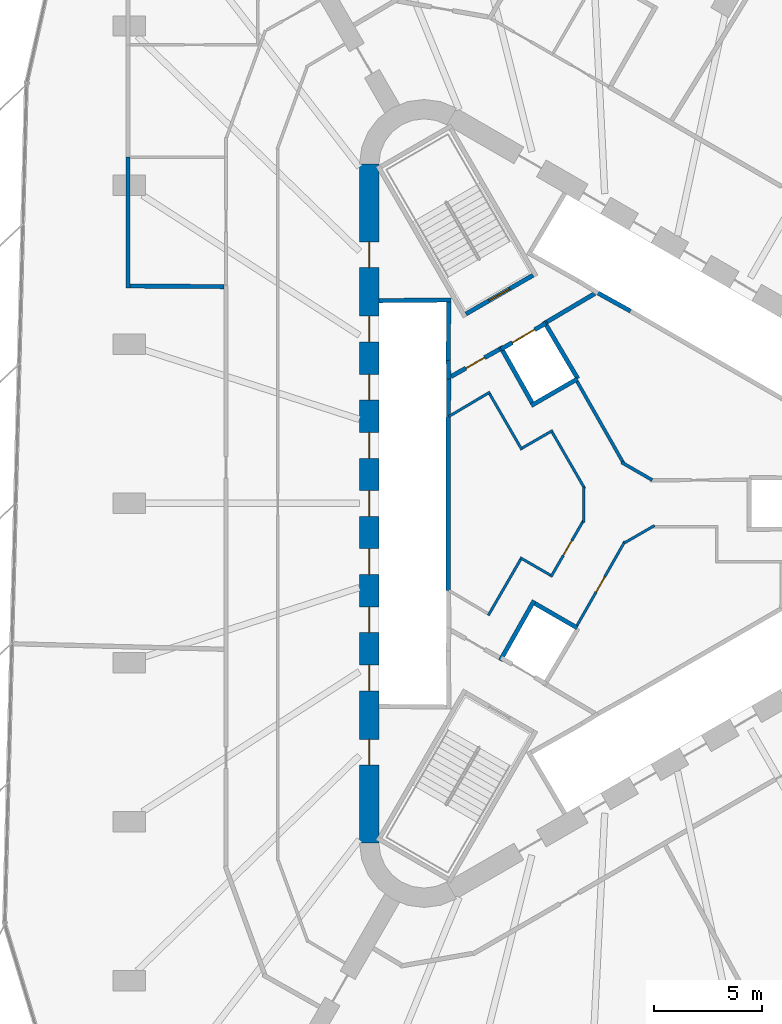
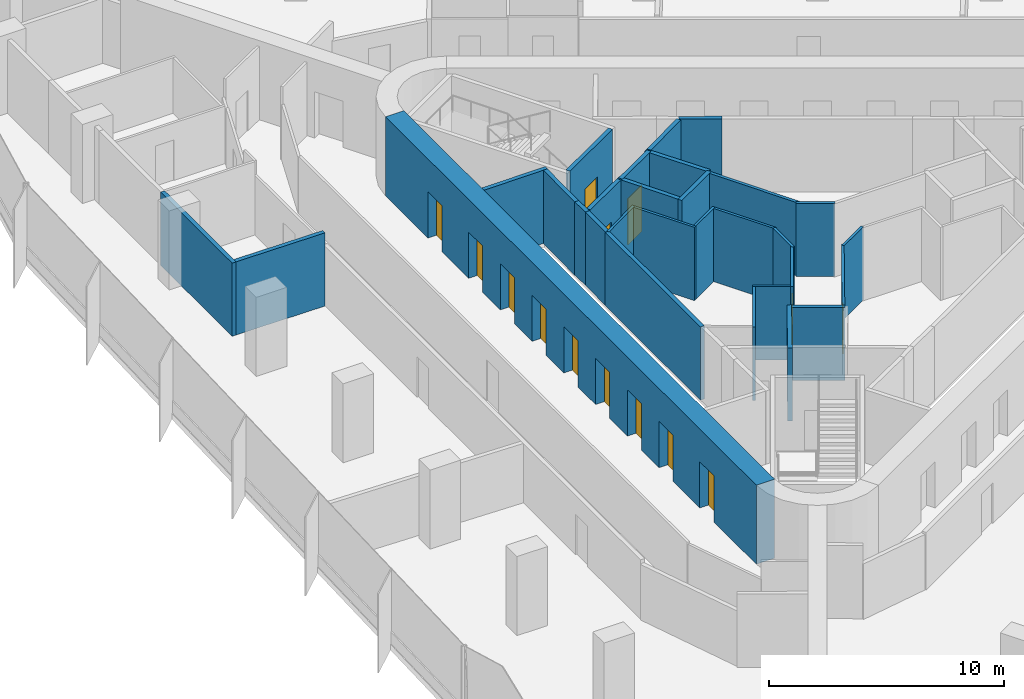
# One storey, part 10 of 14: 30 walls, 14 doors, 14 openings.
"""IFC4 building model written with IfcOpenShell, lengths in metres."""

import ifcopenshell
import ifcopenshell.guid

model = None  # the IFC model being written
_history = None  # IfcOwnerHistory: only IFC2X3 demands one
_inside = {}  # id of a spatial element -> (the spatial element, [elements in it])
_under = {}  # id of a project, library or spatial element -> (it, [spatial elements below it])
_declared = {}  # id of a project -> (the project, [libraries it declares])
_typed = {}  # id of a type object -> (the type object, [elements of that type])
_made_of = {}  # id of a material, layer set ... -> (it, [elements and type objects made of it])


def new_model(schema):
    """Start an empty IFC model of exactly this schema.

    Asked for "IFC4X3", IfcOpenShell would pick the latest addendum, in which some entities
    have other attributes; the version numbers below select the first issue.
    IFC2X3 requires an IfcOwnerHistory on every rooted entity: one is made here for all.
    """
    global model, _history
    if schema == "IFC4X3":
        model = ifcopenshell.file(schema_version=(4, 3, 0, 0))
    else:
        model = ifcopenshell.file(schema=schema)
    _inside.clear()
    _under.clear()
    _declared.clear()
    _typed.clear()
    _made_of.clear()
    _history = None
    if model.schema == "IFC2X3":
        org = make("IfcOrganization", Name="unknown")
        user = make(
            "IfcPersonAndOrganization",
            ThePerson=make("IfcPerson", FamilyName="unknown"),
            TheOrganization=org,
        )
        app = make(
            "IfcApplication",
            ApplicationDeveloper=org,
            Version="unknown",
            ApplicationFullName="unknown",
            ApplicationIdentifier="unknown",
        )
        _history = make(
            "IfcOwnerHistory",
            OwningUser=user,
            OwningApplication=app,
            ChangeAction="ADDED",
            CreationDate=0,
        )
    return model


def make(cls, **values):
    """One entity of the class cls with the attributes given. An attribute that is None is left unset."""
    return model.create_entity(
        cls, **{name: value for name, value in values.items() if value is not None}
    )


def rooted(cls, **values):
    """An entity with a GlobalId (a new one), such as an element, a storey or a relation."""
    return make(cls, GlobalId=ifcopenshell.guid.new(), OwnerHistory=_history, **values)


def si_unit(unit_type, name, prefix=None):
    """IfcSIUnit, for example si_unit("LENGTHUNIT", "METRE", prefix="MILLI")."""
    return make("IfcSIUnit", UnitType=unit_type, Prefix=prefix, Name=name)


def assignment(units):
    """IfcUnitAssignment: the units of a project."""
    return None if units is None else make("IfcUnitAssignment", Units=units)


def point(xyz):
    """IfcCartesianPoint."""
    return None if xyz is None else make("IfcCartesianPoint", Coordinates=xyz)


def direction(xyz):
    """IfcDirection."""
    return None if xyz is None else make("IfcDirection", DirectionRatios=xyz)


def frame(location, z_axis=None, x_axis=None):
    """IfcAxis2Placement3D, a coordinate frame: its origin and axes. An axis left out is left unset."""
    return make(
        "IfcAxis2Placement3D",
        Location=point(location),
        Axis=direction(z_axis),
        RefDirection=direction(x_axis),
    )


def frame_2d(location, x_axis=None):
    """IfcAxis2Placement2D, a coordinate frame in the plane: its origin and x axis."""
    return make(
        "IfcAxis2Placement2D", Location=point(location), RefDirection=direction(x_axis)
    )


def origin():
    """The frame at (0, 0, 0) with its axes left unset."""
    return frame((0.0, 0.0, 0.0))


def place(relative_to, where):
    """IfcLocalPlacement: puts the frame where relative to a parent placement (None: the world)."""
    return make(
        "IfcLocalPlacement", PlacementRelTo=relative_to, RelativePlacement=where
    )


def context(
    kind, dimensions, precision=None, world=None, true_north=None, identifier=None
):
    """IfcGeometricRepresentationContext, for example the 3D "Model" context."""
    return make(
        "IfcGeometricRepresentationContext",
        ContextIdentifier=identifier,
        ContextType=kind,
        CoordinateSpaceDimension=dimensions,
        Precision=precision,
        WorldCoordinateSystem=world,
        TrueNorth=true_north,
    )


def subcontext(parent, identifier, kind, view, scale=None):
    """IfcGeometricRepresentationSubContext, for example "Body" below "Model"."""
    return make(
        "IfcGeometricRepresentationSubContext",
        ContextIdentifier=identifier,
        ContextType=kind,
        ParentContext=parent,
        TargetScale=scale,
        TargetView=view,
    )


def project(units=None, contexts=None):
    """IfcProject with its units and contexts."""
    return rooted(
        "IfcProject",
        Name="project",
        RepresentationContexts=contexts,
        UnitsInContext=assignment(units),
    )


def spatial(cls, under=None, at=None, **own):
    """A site, building, storey or space (cls), placed at a placement, below another one or the project."""
    s = rooted(cls, ObjectPlacement=at, **own)
    if under is not None:
        _under.setdefault(under.id(), (under, []))[1].append(s)
    return s


def profile(cls, at=None, kind="AREA", **sizes):
    """A parametric profile (cls). Its sizes go by their IFC names, for example OverallWidth=200.0."""
    return make(cls, ProfileType=kind, Position=at, **sizes)


def rectangle(**sizes):
    """IfcRectangleProfileDef."""
    return profile("IfcRectangleProfileDef", **sizes)


def extrude(swept, where, along, depth):
    """IfcExtrudedAreaSolid: the profile swept, set in the frame where, extruded along a direction by depth."""
    return make(
        "IfcExtrudedAreaSolid",
        SweptArea=swept,
        Position=where,
        ExtrudedDirection=direction(along),
        Depth=depth,
    )


def shape(context_of_items, identifier, shape_type, items):
    """IfcShapeRepresentation: the items that make up one representation, for example the "Body"."""
    return make(
        "IfcShapeRepresentation",
        ContextOfItems=context_of_items,
        RepresentationIdentifier=identifier,
        RepresentationType=shape_type,
        Items=items,
    )


def material(Name=None, Category=None):
    """IfcMaterial."""
    return make("IfcMaterial", Name=Name, Category=Category)


def layer(
    of_material, thickness, ventilated=None, Name=None, Category=None, Priority=None
):
    """IfcMaterialLayer: one layer of a wall or slab, of a material (None: an air gap)."""
    return make(
        "IfcMaterialLayer",
        Material=of_material,
        LayerThickness=thickness,
        IsVentilated=ventilated,
        Name=Name,
        Category=Category,
        Priority=Priority,
    )


def layer_set(layers, Name=None):
    """IfcMaterialLayerSet."""
    return make("IfcMaterialLayerSet", MaterialLayers=layers, LayerSetName=Name)


def made_of(thing, what):
    """Note that an element or type object is made of a material, layer set ...; save() writes the relation."""
    if what is not None:
        _made_of.setdefault(what.id(), (what, []))[1].append(thing)
    return thing


def type_object(cls, material=None, **own):
    """A type object (cls), such as IfcWallType, which elements share."""
    return made_of(rooted(cls, **own), material)


def element(
    cls,
    number,
    at=None,
    inside=None,
    cuts=None,
    type_object=None,
    material=None,
    context=None,
    identifier="Body",
    shape_type=None,
    held_by="IfcProductDefinitionShape",
    body=None,
    shapes=None,
    **own,
):
    """One element of the class cls, such as IfcWall. Its Tag is "e" and its number.

    at: its placement. inside: the storey or other place that contains it. cuts: it is an
    opening in that element (IfcRelVoidsElement). A single representation is given by context,
    identifier, shape_type and body (its items); several are given by shapes. held_by: the class
    of the entity that holds the representations. save() writes the other relations.
    """
    e = rooted(cls, Tag="e%d" % number, ObjectPlacement=at, **own)
    if body is not None:
        shapes = [shape(context, identifier, shape_type, body)]
    if shapes is not None:
        e.Representation = make(held_by, Representations=shapes)
    if inside is not None:
        _inside.setdefault(inside.id(), (inside, []))[1].append(e)
    if cuts is not None:
        rooted(
            "IfcRelVoidsElement", RelatingBuildingElement=cuts, RelatedOpeningElement=e
        )
    if type_object is not None:
        _typed.setdefault(type_object.id(), (type_object, []))[1].append(e)
    return made_of(e, material)


def fill(opening, filler):
    """IfcRelFillsElement: the door or window that sits in an opening."""
    return rooted(
        "IfcRelFillsElement",
        RelatingOpeningElement=opening,
        RelatedBuildingElement=filler,
    )


def aggregate(whole, parts):
    """IfcRelAggregates: a whole, such as a stair, and the parts it consists of."""
    return rooted("IfcRelAggregates", RelatingObject=whole, RelatedObjects=parts)


def save(model, path):
    """Write the relations noted so far, then the file.

    IfcRelAggregates (storeys below a building ...), IfcRelContainedInSpatialStructure (elements
    in a storey), IfcRelDefinesByType, IfcRelAssociatesMaterial and IfcRelDeclares: one each for
    every whole, place, type object, material and project.
    """
    for whole, parts in _under.values():
        aggregate(whole, parts)
    for where, things in _inside.values():
        rooted(
            "IfcRelContainedInSpatialStructure",
            RelatedElements=things,
            RelatingStructure=where,
        )
    for kind, things in _typed.values():
        rooted("IfcRelDefinesByType", RelatedObjects=things, RelatingType=kind)
    for what, things in _made_of.values():
        rooted("IfcRelAssociatesMaterial", RelatedObjects=things, RelatingMaterial=what)
    for by, libraries in _declared.values():
        rooted("IfcRelDeclares", RelatingContext=by, RelatedDefinitions=libraries)
    model.write(path)


model = new_model("IFC4")

# Units and contexts
model_context = context("Model", 3, precision=1e-05, world=origin(), true_north=direction((0.0, 1.0)))
body_context = subcontext(model_context, "Body", "Model", "MODEL_VIEW")
ifc_project = project(units=[si_unit("LENGTHUNIT", "METRE"), si_unit("AREAUNIT", "SQUARE_METRE"), si_unit("VOLUMEUNIT", "CUBIC_METRE"), si_unit("PLANEANGLEUNIT", "RADIAN"), si_unit("MASSUNIT", "GRAM", prefix="KILO")], contexts=[model_context])

# Site, building, storey
site_placement = place(None, origin())
site = spatial("IfcSite", under=ifc_project, at=site_placement, CompositionType="ELEMENT")
building_placement = place(site_placement, origin())
building = spatial("IfcBuilding", under=site, at=building_placement, Name="Tanit Gate Tower", CompositionType="ELEMENT")
storey_placement = place(building_placement, frame((0.0, 0.0, 119.300048828125)))
storey = spatial("IfcBuildingStorey", under=building, at=storey_placement, Name="L25", CompositionType="ELEMENT", Elevation=119.300048828125)

# Wall, openings, doors
ifc_material_1 = material(Name="Concrete C60/75", Category="concrete")
ifc_layer_1 = layer(ifc_material_1, 0.89990234375)
ifc_layer_set_1 = layer_set([ifc_layer_1], Name="CORE WALL 900 C60/75")
wall_type_1 = type_object("IfcWallType", Name="CORE WALL 900 C60/75", PredefinedType="SHEAR", material=ifc_layer_set_1)
wall_1_placement = place(storey_placement, frame((-11.64990234375, 15.76171875, 0.0), z_axis=(0.0, 0.0, 1.0), x_axis=(0.0, -1.0, 0.0)))
wall_1 = element("IfcWall", 1, at=wall_1_placement, inside=storey, type_object=wall_type_1, Name="CORE WALL", PredefinedType="SHEAR", context=body_context, shape_type="SweptSolid", body=[
    extrude(rectangle(XDim=31.5234375, YDim=0.89990234375, at=frame_2d((15.76171875, 0.0))), origin(), (0.0, 0.0, 1.0), 4.099853515625),
])
opening_1_placement = place(wall_1_placement, frame((7.061767578125, 0.0, 0.0)))
opening_1 = element("IfcOpeningElement", 2, at=opening_1_placement, cuts=wall_1, Name="Opening LDLL1-S06", PredefinedType="OPENING", context=body_context, shape_type="SweptSolid", body=[
    extrude(rectangle(XDim=1.199951171875, YDim=2.39990234375, at=frame_2d((0.60009765625, 1.199951171875))), frame((0.0, 0.4599609375, 0.0), z_axis=(0.0, -1.0, 0.0), x_axis=(1.0, 0.0, 0.0)), (0.0, 0.0, 1.0), 0.919921875),
])
opening_2_placement = place(wall_1_placement, frame((9.76171875, 0.0, 0.0)))
opening_2 = element("IfcOpeningElement", 3, at=opening_2_placement, cuts=wall_1, Name="Opening LDLL2-S06", PredefinedType="OPENING", context=body_context, shape_type="SweptSolid", body=[
    extrude(rectangle(XDim=1.199951171875, YDim=2.39990234375, at=frame_2d((0.60009765625, 1.199951171875))), frame((0.0, 0.4599609375, 0.0), z_axis=(0.0, -1.0, 0.0), x_axis=(1.0, 0.0, 0.0)), (0.0, 0.0, 1.0), 0.919921875),
])
opening_3_placement = place(wall_1_placement, frame((12.461669921875, 0.0, 0.0)))
opening_3 = element("IfcOpeningElement", 4, at=opening_3_placement, cuts=wall_1, Name="Opening LDLL3-S06", PredefinedType="OPENING", context=body_context, shape_type="SweptSolid", body=[
    extrude(rectangle(XDim=1.199951171875, YDim=2.39990234375, at=frame_2d((0.60009765625, 1.199951171875))), frame((0.0, 0.4599609375, 0.0), z_axis=(0.0, -1.0, 0.0), x_axis=(1.0, 0.0, 0.0)), (0.0, 0.0, 1.0), 0.919921875),
])
opening_4_placement = place(wall_1_placement, frame((15.16162109375, 0.0, 0.0)))
opening_4 = element("IfcOpeningElement", 5, at=opening_4_placement, cuts=wall_1, Name="Opening LDLL4-S06", PredefinedType="OPENING", context=body_context, shape_type="SweptSolid", body=[
    extrude(rectangle(XDim=1.199951171875, YDim=2.39990234375, at=frame_2d((0.60009765625, 1.199951171875))), frame((0.0, 0.4599609375, 0.0), z_axis=(0.0, -1.0, 0.0), x_axis=(1.0, 0.0, 0.0)), (0.0, 0.0, 1.0), 0.919921875),
])
opening_5_placement = place(wall_1_placement, frame((17.86181640625, 0.0, 0.0)))
opening_5 = element("IfcOpeningElement", 6, at=opening_5_placement, cuts=wall_1, Name="Opening LDLL5-S06", PredefinedType="OPENING", context=body_context, shape_type="SweptSolid", body=[
    extrude(rectangle(XDim=1.199951171875, YDim=2.39990234375, at=frame_2d((0.60009765625, 1.199951171875))), frame((0.0, 0.4599609375, 0.0), z_axis=(0.0, -1.0, 0.0), x_axis=(1.0, 0.0, 0.0)), (0.0, 0.0, 1.0), 0.919921875),
])
opening_6_placement = place(wall_1_placement, frame((20.561767578125, 0.0, 0.0)))
opening_6 = element("IfcOpeningElement", 7, at=opening_6_placement, cuts=wall_1, Name="Opening LDLL6-S06", PredefinedType="OPENING", context=body_context, shape_type="SweptSolid", body=[
    extrude(rectangle(XDim=1.199951171875, YDim=2.39990234375, at=frame_2d((0.60009765625, 1.199951171875))), frame((0.0, 0.4599609375, 0.0), z_axis=(0.0, -1.0, 0.0), x_axis=(1.0, 0.0, 0.0)), (0.0, 0.0, 1.0), 0.919921875),
])
opening_7_placement = place(wall_1_placement, frame((23.26171875, 0.0, 0.0)))
opening_7 = element("IfcOpeningElement", 8, at=opening_7_placement, cuts=wall_1, Name="Opening LDLL7-S06", PredefinedType="OPENING", context=body_context, shape_type="SweptSolid", body=[
    extrude(rectangle(XDim=1.199951171875, YDim=2.39990234375, at=frame_2d((0.60009765625, 1.199951171875))), frame((0.0, 0.4599609375, 0.0), z_axis=(0.0, -1.0, 0.0), x_axis=(1.0, 0.0, 0.0)), (0.0, 0.0, 1.0), 0.919921875),
])
opening_8_placement = place(wall_1_placement, frame((3.61181640625, 0.0, 0.0)))
opening_8 = element("IfcOpeningElement", 9, at=opening_8_placement, cuts=wall_1, Name="Opening F12-S06-FL2", PredefinedType="OPENING", context=body_context, shape_type="SweptSolid", body=[
    extrude(rectangle(XDim=1.199951171875, YDim=2.39990234375, at=frame_2d((0.60009765625, 1.199951171875))), frame((0.0, 0.4599609375, 0.0), z_axis=(0.0, -1.0, 0.0), x_axis=(1.0, 0.0, 0.0)), (0.0, 0.0, 1.0), 0.919921875),
])
opening_9_placement = place(wall_1_placement, frame((26.711669921875, 0.0, 0.0)))
opening_9 = element("IfcOpeningElement", 10, at=opening_9_placement, cuts=wall_1, Name="Opening F12-S06-S3", PredefinedType="OPENING", context=body_context, shape_type="SweptSolid", body=[
    extrude(rectangle(XDim=1.199951171875, YDim=2.39990234375, at=frame_2d((0.60009765625, 1.199951171875))), frame((0.0, 0.4599609375, 0.0), z_axis=(0.0, -1.0, 0.0), x_axis=(1.0, 0.0, 0.0)), (0.0, 0.0, 1.0), 0.919921875),
])
ifc_material_2 = material(Name="Fire-rated steel door leaf", Category="steel")
door_type_1 = type_object("IfcDoorType", Name="INT-DOOR-FIRE-LOBBY-1200", OperationType="NOTDEFINED", PredefinedType="USERDEFINED", material=ifc_material_2)
door_1_placement = place(opening_8_placement, origin())
door_1 = element("IfcDoor", 11, at=door_1_placement, inside=storey, type_object=door_type_1, Name="Door F12-S06-FL2", ObjectType="FIRE DOOR", OperationType="SINGLE_SWING_RIGHT", OverallHeight=2.39990234375, OverallWidth=1.199951171875, PredefinedType="USERDEFINED", context=body_context, shape_type="SweptSolid", body=[
    extrude(rectangle(XDim=1.199951171875, YDim=2.39990234375, at=frame_2d((0.60009765625, 1.199951171875))), frame((0.0, 0.02490234375, 0.0), z_axis=(0.0, -1.0, 0.0), x_axis=(1.0, 0.0, 0.0)), (0.0, 0.0, 1.0), 0.050048828125),
])
fill(opening_8, door_1)
door_2_placement = place(opening_9_placement, origin())
door_2 = element("IfcDoor", 12, at=door_2_placement, inside=storey, type_object=door_type_1, Name="Door F12-S06-S3", ObjectType="FIRE DOOR", OperationType="SINGLE_SWING_RIGHT", OverallHeight=2.39990234375, OverallWidth=1.199951171875, PredefinedType="USERDEFINED", context=body_context, shape_type="SweptSolid", body=[
    extrude(rectangle(XDim=1.199951171875, YDim=2.39990234375, at=frame_2d((0.60009765625, 1.199951171875))), frame((0.0, 0.02490234375, 0.0), z_axis=(0.0, -1.0, 0.0), x_axis=(1.0, 0.0, 0.0)), (0.0, 0.0, 1.0), 0.050048828125),
])
fill(opening_9, door_2)
ifc_material_3 = material(Name="Stainless steel sliding door leaf", Category="steel")
door_type_2 = type_object("IfcDoorType", Name="INT-DOOR-LANDING-1200", OperationType="NOTDEFINED", PredefinedType="USERDEFINED", material=ifc_material_3)
door_3_placement = place(opening_1_placement, origin())
door_3 = element("IfcDoor", 13, at=door_3_placement, inside=storey, type_object=door_type_2, Name="Door LDLL1-S06", ObjectType="LANDING DOOR", OperationType="SLIDING_TO_LEFT", OverallHeight=2.39990234375, OverallWidth=1.199951171875, PredefinedType="USERDEFINED", context=body_context, shape_type="SweptSolid", body=[
    extrude(rectangle(XDim=1.199951171875, YDim=2.39990234375, at=frame_2d((0.60009765625, 1.199951171875))), frame((0.0, 0.02490234375, 0.0), z_axis=(0.0, -1.0, 0.0), x_axis=(1.0, 0.0, 0.0)), (0.0, 0.0, 1.0), 0.050048828125),
])
fill(opening_1, door_3)
door_4_placement = place(opening_2_placement, origin())
door_4 = element("IfcDoor", 14, at=door_4_placement, inside=storey, type_object=door_type_2, Name="Door LDLL2-S06", ObjectType="LANDING DOOR", OperationType="SLIDING_TO_LEFT", OverallHeight=2.39990234375, OverallWidth=1.199951171875, PredefinedType="USERDEFINED", context=body_context, shape_type="SweptSolid", body=[
    extrude(rectangle(XDim=1.199951171875, YDim=2.39990234375, at=frame_2d((0.60009765625, 1.199951171875))), frame((0.0, 0.02490234375, 0.0), z_axis=(0.0, -1.0, 0.0), x_axis=(1.0, 0.0, 0.0)), (0.0, 0.0, 1.0), 0.050048828125),
])
fill(opening_2, door_4)
door_5_placement = place(opening_3_placement, origin())
door_5 = element("IfcDoor", 15, at=door_5_placement, inside=storey, type_object=door_type_2, Name="Door LDLL3-S06", ObjectType="LANDING DOOR", OperationType="SLIDING_TO_LEFT", OverallHeight=2.39990234375, OverallWidth=1.199951171875, PredefinedType="USERDEFINED", context=body_context, shape_type="SweptSolid", body=[
    extrude(rectangle(XDim=1.199951171875, YDim=2.39990234375, at=frame_2d((0.60009765625, 1.199951171875))), frame((0.0, 0.02490234375, 0.0), z_axis=(0.0, -1.0, 0.0), x_axis=(1.0, 0.0, 0.0)), (0.0, 0.0, 1.0), 0.050048828125),
])
fill(opening_3, door_5)
door_6_placement = place(opening_4_placement, origin())
door_6 = element("IfcDoor", 16, at=door_6_placement, inside=storey, type_object=door_type_2, Name="Door LDLL4-S06", ObjectType="LANDING DOOR", OperationType="SLIDING_TO_LEFT", OverallHeight=2.39990234375, OverallWidth=1.199951171875, PredefinedType="USERDEFINED", context=body_context, shape_type="SweptSolid", body=[
    extrude(rectangle(XDim=1.199951171875, YDim=2.39990234375, at=frame_2d((0.60009765625, 1.199951171875))), frame((0.0, 0.02490234375, 0.0), z_axis=(0.0, -1.0, 0.0), x_axis=(1.0, 0.0, 0.0)), (0.0, 0.0, 1.0), 0.050048828125),
])
fill(opening_4, door_6)
door_7_placement = place(opening_5_placement, origin())
door_7 = element("IfcDoor", 17, at=door_7_placement, inside=storey, type_object=door_type_2, Name="Door LDLL5-S06", ObjectType="LANDING DOOR", OperationType="SLIDING_TO_LEFT", OverallHeight=2.39990234375, OverallWidth=1.199951171875, PredefinedType="USERDEFINED", context=body_context, shape_type="SweptSolid", body=[
    extrude(rectangle(XDim=1.199951171875, YDim=2.39990234375, at=frame_2d((0.60009765625, 1.199951171875))), frame((0.0, 0.02490234375, 0.0), z_axis=(0.0, -1.0, 0.0), x_axis=(1.0, 0.0, 0.0)), (0.0, 0.0, 1.0), 0.050048828125),
])
fill(opening_5, door_7)
door_8_placement = place(opening_6_placement, origin())
door_8 = element("IfcDoor", 18, at=door_8_placement, inside=storey, type_object=door_type_2, Name="Door LDLL6-S06", ObjectType="LANDING DOOR", OperationType="SLIDING_TO_LEFT", OverallHeight=2.39990234375, OverallWidth=1.199951171875, PredefinedType="USERDEFINED", context=body_context, shape_type="SweptSolid", body=[
    extrude(rectangle(XDim=1.199951171875, YDim=2.39990234375, at=frame_2d((0.60009765625, 1.199951171875))), frame((0.0, 0.02490234375, 0.0), z_axis=(0.0, -1.0, 0.0), x_axis=(1.0, 0.0, 0.0)), (0.0, 0.0, 1.0), 0.050048828125),
])
fill(opening_6, door_8)
door_9_placement = place(opening_7_placement, origin())
door_9 = element("IfcDoor", 19, at=door_9_placement, inside=storey, type_object=door_type_2, Name="Door LDLL7-S06", ObjectType="LANDING DOOR", OperationType="SLIDING_TO_LEFT", OverallHeight=2.39990234375, OverallWidth=1.199951171875, PredefinedType="USERDEFINED", context=body_context, shape_type="SweptSolid", body=[
    extrude(rectangle(XDim=1.199951171875, YDim=2.39990234375, at=frame_2d((0.60009765625, 1.199951171875))), frame((0.0, 0.02490234375, 0.0), z_axis=(0.0, -1.0, 0.0), x_axis=(1.0, 0.0, 0.0)), (0.0, 0.0, 1.0), 0.050048828125),
])
fill(opening_7, door_9)

# Wall
ifc_material_4 = material(Name="Fire-rated gypsum board partition")
ifc_layer_2 = layer(ifc_material_4, 0.199951171875)
ifc_layer_set_2 = layer_set([ifc_layer_2], Name="INT-WALL-COMPARTMENT")
wall_type_2 = type_object("IfcWallType", Name="INT-WALL-COMPARTMENT", PredefinedType="PARTITIONING", material=ifc_layer_set_2)
wall_2_placement = place(storey_placement, frame((-1.1796875, 9.744384765625, 0.0), z_axis=(0.0, 0.0, 1.0), x_axis=(-0.860615607571, -0.509255118781, 0.0)))
element("IfcWall", 20, at=wall_2_placement, inside=storey, type_object=wall_type_2, Name="Wall Compartment W061", PredefinedType="PARTITIONING", context=body_context, shape_type="SweptSolid", body=[
    extrude(rectangle(XDim=2.58056640625, YDim=0.199951171875, at=frame_2d((1.290283203125, 0.0))), origin(), (0.0, 0.0, 1.0), 3.800048828125),
])

# Wall, opening, door
wall_3_placement = place(storey_placement, frame((-5.600341796875, 7.16015625, 0.0), z_axis=(0.0, 0.0, 1.0), x_axis=(-0.871363259478, -0.490638431059, 0.0)))
wall_3 = element("IfcWall", 21, at=wall_3_placement, inside=storey, type_object=wall_type_2, Name="Wall Compartment W062", PredefinedType="PARTITIONING", context=body_context, shape_type="SweptSolid", body=[
    extrude(rectangle(XDim=2.5810546875, YDim=0.199951171875, at=frame_2d((1.29052734375, 0.0))), origin(), (0.0, 0.0, 1.0), 3.800048828125),
])
opening_10_placement = place(wall_3_placement, frame((0.79052734375, 0.0, 0.0)))
opening_10 = element("IfcOpeningElement", 22, at=opening_10_placement, cuts=wall_3, Name="Opening F10-S06-05", PredefinedType="OPENING", context=body_context, shape_type="SweptSolid", body=[
    extrude(rectangle(XDim=1.0, YDim=2.10009765625, at=frame_2d((0.5, 1.050048828125))), frame((0.0, 0.10986328125, 0.0), z_axis=(0.0, -1.0, 0.0), x_axis=(1.0, 0.0, 0.0)), (0.0, 0.0, 1.0), 0.219970703125),
])
ifc_material_5 = material(Name="Fire-rated steel door leaf", Category="steel")
door_type_3 = type_object("IfcDoorType", Name="INT-DOOR-FIRE-1000", OperationType="NOTDEFINED", PredefinedType="USERDEFINED", material=ifc_material_5)
door_10_placement = place(opening_10_placement, origin())
door_10 = element("IfcDoor", 23, at=door_10_placement, inside=storey, type_object=door_type_3, Name="Door F10-S06-05", ObjectType="FIRE DOOR", OperationType="SINGLE_SWING_RIGHT", OverallHeight=2.10009765625, OverallWidth=1.0, PredefinedType="USERDEFINED", context=body_context, shape_type="SweptSolid", body=[
    extrude(rectangle(XDim=1.0, YDim=2.10009765625, at=frame_2d((0.5, 1.050048828125))), frame((0.0, 0.02490234375, 0.0), z_axis=(0.0, -1.0, 0.0), x_axis=(1.0, 0.0, 0.0)), (0.0, 0.0, 1.0), 0.050048828125),
])
fill(opening_10, door_10)

# Walls
wall_4_placement = place(storey_placement, frame((-22.85009765625, 10.0, 0.0), z_axis=(0.0, 0.0, 1.0), x_axis=(0.0, 1.0, 0.0)))
element("IfcWall", 24, at=wall_4_placement, inside=storey, type_object=wall_type_2, Name="Wall Compartment W118", PredefinedType="PARTITIONING", context=body_context, shape_type="SweptSolid", body=[
    extrude(rectangle(XDim=6.083740234375, YDim=0.199951171875, at=frame_2d((3.0419921875, 0.0))), origin(), (0.0, 0.0, 1.0), 3.800048828125),
])
wall_5_placement = place(storey_placement, frame((-22.75, 10.099365234375, 0.0), z_axis=(0.0, 0.0, 1.0), x_axis=(0.999978071859, -0.006622371337, 0.0)))
element("IfcWall", 25, at=wall_5_placement, inside=storey, type_object=wall_type_2, Name="Wall Compartment W119", PredefinedType="PARTITIONING", context=body_context, shape_type="SweptSolid", body=[
    extrude(rectangle(XDim=4.35009765625, YDim=0.199951171875, at=frame_2d((2.175048828125, 0.0))), origin(), (0.0, 0.0, 1.0), 3.800048828125),
])

# Wall, opening, door
ifc_material_6 = material(Name="Gypsum board partition")
ifc_layer_3 = layer(ifc_material_6, 0.1201171875)
ifc_layer_set_3 = layer_set([ifc_layer_3], Name="INT-WALL-PARTITION")
wall_type_3 = type_object("IfcWallType", Name="INT-WALL-PARTITION", PredefinedType="PARTITIONING", material=ifc_layer_set_3)
wall_6_placement = place(storey_placement, frame((0.223876953125, -1.760986328125, 0.0), z_axis=(0.0, 0.0, 1.0), x_axis=(-0.494327216836, -0.869275907118, 0.0)))
wall_6 = element("IfcWall", 26, at=wall_6_placement, inside=storey, type_object=wall_type_3, Name="Wall Partition W068", PredefinedType="PARTITIONING", context=body_context, shape_type="SweptSolid", body=[
    extrude(rectangle(XDim=4.487060546875, YDim=0.1201171875, at=frame_2d((2.24365234375, 0.0))), origin(), (0.0, 0.0, 1.0), 3.800048828125),
])
opening_11_placement = place(wall_6_placement, frame((1.89453125, 0.0, 0.0)))
opening_11 = element("IfcOpeningElement", 27, at=opening_11_placement, cuts=wall_6, Name="Opening R08-S06-11", PredefinedType="OPENING", context=body_context, shape_type="SweptSolid", body=[
    extrude(rectangle(XDim=0.800048828125, YDim=2.10009765625, at=frame_2d((0.39990234375, 1.050048828125))), frame((0.0, 0.070068359375, 0.0), z_axis=(0.0, -1.0, 0.0), x_axis=(1.0, 0.0, 0.0)), (0.0, 0.0, 1.0), 0.14013671875),
])
ifc_material_7 = material(Name="Timber door leaf", Category="wood")
door_type_4 = type_object("IfcDoorType", Name="INT-DOOR-RISER-800", OperationType="NOTDEFINED", PredefinedType="USERDEFINED", material=ifc_material_7)
door_11_placement = place(opening_11_placement, origin())
door_11 = element("IfcDoor", 28, at=door_11_placement, inside=storey, type_object=door_type_4, Name="Door R08-S06-11", ObjectType="FIRE DOOR", OperationType="SINGLE_SWING_LEFT", OverallHeight=2.10009765625, OverallWidth=0.800048828125, PredefinedType="USERDEFINED", context=body_context, shape_type="SweptSolid", body=[
    extrude(rectangle(XDim=0.800048828125, YDim=2.10009765625, at=frame_2d((0.39990234375, 1.050048828125))), frame((0.0, 0.02490234375, 0.0), z_axis=(0.0, -1.0, 0.0), x_axis=(1.0, 0.0, 0.0)), (0.0, 0.0, 1.0), 0.050048828125),
])
fill(opening_11, door_11)

# Walls
wall_7_placement = place(storey_placement, frame((1.60546875, -1.02294921875, 0.0), z_axis=(0.0, 0.0, 1.0), x_axis=(-0.866001581989, -0.50004125829, 0.0)))
element("IfcWall", 29, at=wall_7_placement, inside=storey, type_object=wall_type_3, Name="Wall Partition W069", PredefinedType="PARTITIONING", context=body_context, shape_type="SweptSolid", body=[
    extrude(rectangle(XDim=1.635009765625, YDim=0.1201171875, at=frame_2d((0.8173828125, 0.0))), origin(), (0.0, 0.0, 1.0), 3.800048828125),
])
wall_8_placement = place(storey_placement, frame((-6.03662109375, 5.17578125, 0.0), z_axis=(0.0, 0.0, 1.0), x_axis=(-0.860106072674, -0.510115225953, 0.0)))
element("IfcWall", 30, at=wall_8_placement, inside=storey, type_object=wall_type_3, Name="Wall Partition W074", PredefinedType="PARTITIONING", context=body_context, shape_type="SweptSolid", body=[
    extrude(rectangle(XDim=2.224609375, YDim=0.1201171875, at=frame_2d((1.1123046875, 0.0))), origin(), (0.0, 0.0, 1.0), 3.800048828125),
])
wall_9_placement = place(storey_placement, frame((-4.558349609375, 2.4951171875, 0.0), z_axis=(0.0, 0.0, 1.0), x_axis=(-0.499990139034, 0.866031096941, 0.0)))
element("IfcWall", 31, at=wall_9_placement, inside=storey, type_object=wall_type_3, Name="Wall Partition W075", PredefinedType="PARTITIONING", context=body_context, shape_type="SweptSolid", body=[
    extrude(rectangle(XDim=3.0, YDim=0.1201171875, at=frame_2d((1.5, 0.0))), origin(), (0.0, 0.0, 1.0), 3.800048828125),
])
wall_10_placement = place(storey_placement, frame((-3.12890625, 3.3896484375, 0.0), z_axis=(0.0, 0.0, 1.0), x_axis=(-0.866053003207, -0.499952193351, 0.0)))
element("IfcWall", 32, at=wall_10_placement, inside=storey, type_object=wall_type_3, Name="Wall Partition W076", PredefinedType="PARTITIONING", context=body_context, shape_type="SweptSolid", body=[
    extrude(rectangle(XDim=1.625244140625, YDim=0.1201171875, at=frame_2d((0.8125, 0.0))), origin(), (0.0, 0.0, 1.0), 3.800048828125),
])
wall_11_placement = place(storey_placement, frame((-1.63671875, 0.68505859375, 0.0), z_axis=(0.0, 0.0, 1.0), x_axis=(-0.500006252586, 0.866021793822, 0.0)))
element("IfcWall", 33, at=wall_11_placement, inside=storey, type_object=wall_type_3, Name="Wall Partition W077", PredefinedType="PARTITIONING", context=body_context, shape_type="SweptSolid", body=[
    extrude(rectangle(XDim=3.0283203125, YDim=0.1201171875, at=frame_2d((1.51416015625, 0.0))), origin(), (0.0, 0.0, 1.0), 3.800048828125),
])
wall_12_placement = place(storey_placement, frame((-1.688720703125, -0.87890625, 0.0), z_axis=(0.0, 0.0, 1.0), x_axis=(0.0, 1.0, 0.0)))
element("IfcWall", 34, at=wall_12_placement, inside=storey, type_object=wall_type_3, Name="Wall Partition W078", PredefinedType="PARTITIONING", context=body_context, shape_type="SweptSolid", body=[
    extrude(rectangle(XDim=1.63525390625, YDim=0.1201171875, at=frame_2d((0.817626953125, 0.0))), origin(), (0.0, 0.0, 1.0), 3.800048828125),
])

# Wall, opening, door
wall_13_placement = place(storey_placement, frame((-3.2109375, -3.41162109375, 0.0), z_axis=(0.0, 0.0, 1.0), x_axis=(0.499983190554, 0.866035108505, 0.0)))
wall_13 = element("IfcWall", 35, at=wall_13_placement, inside=storey, type_object=wall_type_3, Name="Wall Partition W079", PredefinedType="PARTITIONING", context=body_context, shape_type="SweptSolid", body=[
    extrude(rectangle(XDim=3.02587890625, YDim=0.1201171875, at=frame_2d((1.512939453125, 0.0))), origin(), (0.0, 0.0, 1.0), 3.800048828125),
])
opening_12_placement = place(wall_13_placement, frame((1.142822265625, 0.0, 0.0)))
opening_12 = element("IfcOpeningElement", 36, at=opening_12_placement, cuts=wall_13, Name="Opening R08-S06-12", PredefinedType="OPENING", context=body_context, shape_type="SweptSolid", body=[
    extrude(rectangle(XDim=0.800048828125, YDim=2.10009765625, at=frame_2d((0.39990234375, 1.050048828125))), frame((0.0, 0.070068359375, 0.0), z_axis=(0.0, -1.0, 0.0), x_axis=(1.0, 0.0, 0.0)), (0.0, 0.0, 1.0), 0.14013671875),
])
door_12_placement = place(opening_12_placement, origin())
door_12 = element("IfcDoor", 37, at=door_12_placement, inside=storey, type_object=door_type_4, Name="Door R08-S06-12", ObjectType="FIRE DOOR", OperationType="SINGLE_SWING_LEFT", OverallHeight=2.10009765625, OverallWidth=0.800048828125, PredefinedType="USERDEFINED", context=body_context, shape_type="SweptSolid", body=[
    extrude(rectangle(XDim=0.800048828125, YDim=2.10009765625, at=frame_2d((0.39990234375, 1.050048828125))), frame((0.0, 0.02490234375, 0.0), z_axis=(0.0, -1.0, 0.0), x_axis=(1.0, 0.0, 0.0)), (0.0, 0.0, 1.0), 0.050048828125),
])
fill(opening_12, door_12)

# Walls
wall_14_placement = place(storey_placement, frame((-4.64013671875, -2.51708984375, 0.0), z_axis=(0.0, 0.0, 1.0), x_axis=(0.866015446554, -0.500017246033, 0.0)))
element("IfcWall", 38, at=wall_14_placement, inside=storey, type_object=wall_type_3, Name="Wall Partition W080", PredefinedType="PARTITIONING", context=body_context, shape_type="SweptSolid", body=[
    extrude(rectangle(XDim=1.625, YDim=0.1201171875, at=frame_2d((0.8125, 0.0))), origin(), (0.0, 0.0, 1.0), 3.800048828125),
])
wall_15_placement = place(storey_placement, frame((-6.1181640625, -5.197265625, 0.0), z_axis=(0.0, 0.0, 1.0), x_axis=(0.499990139034, 0.866031096941, 0.0)))
element("IfcWall", 39, at=wall_15_placement, inside=storey, type_object=wall_type_3, Name="Wall Partition W081", PredefinedType="PARTITIONING", context=body_context, shape_type="SweptSolid", body=[
    extrude(rectangle(XDim=3.0, YDim=0.1201171875, at=frame_2d((1.5, 0.0))), origin(), (0.0, 0.0, 1.0), 3.800048828125),
])
ifc_material_8 = material(Name="Fire-rated gypsum board partition")
ifc_layer_4 = layer(ifc_material_8, 0.14990234375)
ifc_layer_set_4 = layer_set([ifc_layer_4], Name="INT-WALL-RISER")
wall_type_4 = type_object("IfcWallType", Name="INT-WALL-RISER", PredefinedType="PLUMBINGWALL", material=ifc_layer_set_4)
wall_16_placement = place(storey_placement, frame((0.0625, 1.9140625, 0.0), z_axis=(0.0, 0.0, 1.0), x_axis=(0.866018462269, -0.500012022864, 0.0)))
element("IfcWall", 40, at=wall_16_placement, inside=storey, type_object=wall_type_4, Name="Wall Riser W066", PredefinedType="PLUMBINGWALL", context=body_context, shape_type="SweptSolid", body=[
    extrude(rectangle(XDim=1.654296875, YDim=0.14990234375, at=frame_2d((0.8271484375, 0.0))), origin(), (0.0, 0.0, 1.0), 3.800048828125),
])
wall_17_placement = place(storey_placement, frame((-1.994140625, 5.661376953125, 0.0), z_axis=(0.0, 0.0, 1.0), x_axis=(0.494341211302, -0.869267948798, 0.0)))
element("IfcWall", 41, at=wall_17_placement, inside=storey, type_object=wall_type_4, Name="Wall Riser W067", PredefinedType="PLUMBINGWALL", context=body_context, shape_type="SweptSolid", body=[
    extrude(rectangle(XDim=4.36083984375, YDim=0.14990234375, at=frame_2d((2.180419921875, 0.0))), origin(), (0.0, 0.0, 1.0), 3.800048828125),
])
ifc_material_9 = material(Name="Gypsum shaft wall system")
ifc_layer_5 = layer(ifc_material_9, 0.199951171875)
ifc_layer_set_5 = layer_set([ifc_layer_5], Name="INT-WALL-SHAFT")
wall_type_5 = type_object("IfcWallType", Name="INT-WALL-SHAFT", PredefinedType="PLUMBINGWALL", material=ifc_layer_set_5)
wall_18_placement = place(storey_placement, frame((-11.199951171875, 9.419921875, 0.0), z_axis=(0.0, 0.0, 1.0), x_axis=(0.999957167047, 0.009255488683, 0.0)))
element("IfcWall", 42, at=wall_18_placement, inside=storey, type_object=wall_type_5, Name="Wall Shaft W001", PredefinedType="PLUMBINGWALL", context=body_context, shape_type="SweptSolid", body=[
    extrude(rectangle(XDim=3.35009765625, YDim=0.199951171875, at=frame_2d((1.675048828125, 0.0))), origin(), (0.0, 0.0, 1.0), 3.800048828125),
])
wall_19_placement = place(storey_placement, frame((-7.951171875, 9.35009765625, 0.0), z_axis=(0.0, 0.0, 1.0), x_axis=(-0.011120469654, -0.999938165666, 0.0)))
element("IfcWall", 43, at=wall_19_placement, inside=storey, type_object=wall_type_5, Name="Wall Shaft W002", PredefinedType="PLUMBINGWALL", context=body_context, shape_type="SweptSolid", body=[
    extrude(rectangle(XDim=2.700439453125, YDim=0.199951171875, at=frame_2d((1.35009765625, 0.0))), origin(), (0.0, 0.0, 1.0), 3.800048828125),
])
wall_20_placement = place(storey_placement, frame((-7.97705078125, 6.650146484375, 0.0), z_axis=(0.0, 0.0, 1.0), x_axis=(0.030861509705, -0.999523670164, 0.0)))
element("IfcWall", 44, at=wall_20_placement, inside=storey, type_object=wall_type_5, Name="Wall Shaft W004", PredefinedType="PLUMBINGWALL", context=body_context, shape_type="SweptSolid", body=[
    extrude(rectangle(XDim=0.878173828125, YDim=0.199951171875, at=frame_2d((0.43896484375, 0.0))), origin(), (0.0, 0.0, 1.0), 3.800048828125),
])
wall_21_placement = place(storey_placement, frame((-7.94921875, 5.894775390625, 0.0), z_axis=(0.0, 0.0, 1.0), x_axis=(-0.012042535896, -0.999927486035, 0.0)))
element("IfcWall", 45, at=wall_21_placement, inside=storey, type_object=wall_type_5, Name="Wall Shaft W005", PredefinedType="PLUMBINGWALL", context=body_context, shape_type="SweptSolid", body=[
    extrude(rectangle(XDim=1.844970703125, YDim=0.199951171875, at=frame_2d((0.92236328125, 0.0))), origin(), (0.0, 0.0, 1.0), 3.800048828125),
])
wall_22_placement = place(storey_placement, frame((-7.97998046875, 4.050048828125, 0.0), z_axis=(0.0, 0.0, 1.0), x_axis=(0.0, -1.0, 0.0)))
element("IfcWall", 46, at=wall_22_placement, inside=storey, type_object=wall_type_5, Name="Wall Shaft W006", PredefinedType="PLUMBINGWALL", context=body_context, shape_type="SweptSolid", body=[
    extrude(rectangle(XDim=8.10009765625, YDim=0.199951171875, at=frame_2d((4.050048828125, 0.0))), origin(), (0.0, 0.0, 1.0), 3.800048828125),
])
wall_23_placement = place(storey_placement, frame((0.482666015625, 8.935791015625, 0.0), z_axis=(0.0, 0.0, 1.0), x_axis=(-0.874269620932, 0.485440655401, 0.0)))
element("IfcWall", 47, at=wall_23_placement, inside=storey, type_object=wall_type_5, Name="Wall Shaft W020", PredefinedType="PLUMBINGWALL", context=body_context, shape_type="SweptSolid", body=[
    extrude(rectangle(XDim=1.8447265625, YDim=0.199951171875, at=frame_2d((0.92236328125, 0.0))), origin(), (0.0, 0.0, 1.0), 3.800048828125),
])

# Wall, opening, door
wall_24_placement = place(storey_placement, frame((-5.524169921875, 7.168212890625, 0.0), z_axis=(0.0, 0.0, 1.0), x_axis=(0.866024647952, 0.500001309137, 0.0)))
wall_24 = element("IfcWall", 48, at=wall_24_placement, inside=storey, type_object=wall_type_5, Name="Wall Shaft W045", PredefinedType="PLUMBINGWALL", context=body_context, shape_type="SweptSolid", body=[
    extrude(rectangle(XDim=2.39990234375, YDim=0.199951171875, at=frame_2d((1.199951171875, 0.0))), origin(), (0.0, 0.0, 1.0), 3.800048828125),
])
opening_13_placement = place(wall_24_placement, frame((0.60009765625, 0.0, 0.0)))
opening_13 = element("IfcOpeningElement", 49, at=opening_13_placement, cuts=wall_24, Name="Opening LDFL2-L25", PredefinedType="OPENING", context=body_context, shape_type="SweptSolid", body=[
    extrude(rectangle(XDim=1.199951171875, YDim=2.39990234375, at=frame_2d((0.60009765625, 1.199951171875))), frame((0.0, 0.10986328125, 0.0), z_axis=(0.0, -1.0, 0.0), x_axis=(1.0, 0.0, 0.0)), (0.0, 0.0, 1.0), 0.219970703125),
])
door_13_placement = place(opening_13_placement, origin())
door_13 = element("IfcDoor", 50, at=door_13_placement, inside=storey, type_object=door_type_2, Name="Door LDFL2-L25", ObjectType="LANDING DOOR", OperationType="SLIDING_TO_LEFT", OverallHeight=2.39990234375, OverallWidth=1.199951171875, PredefinedType="USERDEFINED", context=body_context, shape_type="SweptSolid", body=[
    extrude(rectangle(XDim=1.199951171875, YDim=2.39990234375, at=frame_2d((0.60009765625, 1.199951171875))), frame((0.0, 0.02490234375, 0.0), z_axis=(0.0, -1.0, 0.0), x_axis=(1.0, 0.0, 0.0)), (0.0, 0.0, 1.0), 0.050048828125),
])
fill(opening_13, door_13)

# Walls
wall_25_placement = place(storey_placement, frame((-3.53759765625, 8.46533203125, 0.0), z_axis=(0.0, 0.0, 1.0), x_axis=(0.508647062354, -0.860975125052, 0.0)))
element("IfcWall", 51, at=wall_25_placement, inside=storey, type_object=wall_type_5, Name="Wall Shaft W046", PredefinedType="PLUMBINGWALL", context=body_context, shape_type="SweptSolid", body=[
    extrude(rectangle(XDim=3.10009765625, YDim=0.199951171875, at=frame_2d((1.550048828125, 0.0))), origin(), (0.0, 0.0, 1.0), 3.800048828125),
])
wall_26_placement = place(storey_placement, frame((-1.978515625, 5.785888671875, 0.0), z_axis=(0.0, 0.0, 1.0), x_axis=(-0.866016689309, -0.500015093611, 0.0)))
element("IfcWall", 52, at=wall_26_placement, inside=storey, type_object=wall_type_5, Name="Wall Shaft W047", PredefinedType="PLUMBINGWALL", context=body_context, shape_type="SweptSolid", body=[
    extrude(rectangle(XDim=2.4794921875, YDim=0.199951171875, at=frame_2d((1.23974609375, 0.0))), origin(), (0.0, 0.0, 1.0), 3.800048828125),
])
wall_27_placement = place(storey_placement, frame((-5.5625, 7.29638671875, 0.0), z_axis=(0.0, 0.0, 1.0), x_axis=(0.49134651263, -0.870964180966, 0.0)))
element("IfcWall", 53, at=wall_27_placement, inside=storey, type_object=wall_type_5, Name="Wall Shaft W048", PredefinedType="PLUMBINGWALL", context=body_context, shape_type="SweptSolid", body=[
    extrude(rectangle(XDim=3.000244140625, YDim=0.199951171875, at=frame_2d((1.5, 0.0))), origin(), (0.0, 0.0, 1.0), 3.800048828125),
])
wall_28_placement = place(storey_placement, frame((-3.989990234375, -4.509033203125, 0.0), z_axis=(0.0, 0.0, 1.0), x_axis=(-0.491358283181, -0.870957540612, 0.0)))
element("IfcWall", 54, at=wall_28_placement, inside=storey, type_object=wall_type_5, Name="Wall Shaft W055", PredefinedType="PLUMBINGWALL", context=body_context, shape_type="SweptSolid", body=[
    extrude(rectangle(XDim=3.200439453125, YDim=0.199951171875, at=frame_2d((1.60009765625, 0.0))), origin(), (0.0, 0.0, 1.0), 3.800048828125),
])
wall_29_placement = place(storey_placement, frame((-3.95263671875, -4.646240234375, 0.0), z_axis=(0.0, 0.0, 1.0), x_axis=(0.866065302921, -0.4999308863, 0.0)))
element("IfcWall", 55, at=wall_29_placement, inside=storey, type_object=wall_type_5, Name="Wall Shaft W056", PredefinedType="PLUMBINGWALL", context=body_context, shape_type="SweptSolid", body=[
    extrude(rectangle(XDim=2.264404296875, YDim=0.199951171875, at=frame_2d((1.13232421875, 0.0))), origin(), (0.0, 0.0, 1.0), 3.800048828125),
])

# Wall, opening, door
ifc_material_10 = material(Name="Concrete C40/50", Category="concrete")
ifc_layer_6 = layer(ifc_material_10, 0.199951171875)
ifc_layer_set_6 = layer_set([ifc_layer_6], Name="INT-WALL-STAIR")
wall_type_6 = type_object("IfcWallType", Name="INT-WALL-STAIR", PredefinedType="SHEAR", material=ifc_layer_set_6)
wall_30_placement = place(storey_placement, frame((-7.158935546875, 8.799560546875, -0.300048828125), z_axis=(0.0, 0.0, 1.0), x_axis=(0.866047807691, 0.499961193289, 0.0)))
wall_30 = element("IfcWall", 56, at=wall_30_placement, inside=storey, type_object=wall_type_6, Name="Wall Stair W044", PredefinedType="SHEAR", context=body_context, shape_type="SweptSolid", body=[
    extrude(rectangle(XDim=3.599853515625, YDim=0.199951171875, at=frame_2d((1.7998046875, 0.0))), origin(), (0.0, 0.0, 1.0), 4.10009765625),
])
opening_14_placement = place(wall_30_placement, frame((1.25, 0.0, 0.300048828125)))
opening_14 = element("IfcOpeningElement", 57, at=opening_14_placement, cuts=wall_30, Name="Opening S11-S06-04", PredefinedType="OPENING", context=body_context, shape_type="SweptSolid", body=[
    extrude(rectangle(XDim=1.10009765625, YDim=2.10009765625, at=frame_2d((0.550048828125, 1.050048828125))), frame((0.0, 0.10986328125, 0.0), z_axis=(0.0, -1.0, 0.0), x_axis=(1.0, 0.0, 0.0)), (0.0, 0.0, 1.0), 0.219970703125),
])
ifc_material_11 = material(Name="Timber door leaf", Category="wood")
door_type_5 = type_object("IfcDoorType", Name="INT-DOOR-STAIR-1100", OperationType="NOTDEFINED", PredefinedType="USERDEFINED", material=ifc_material_11)
door_14_placement = place(opening_14_placement, origin())
door_14 = element("IfcDoor", 58, at=door_14_placement, inside=storey, type_object=door_type_5, Name="Door S11-S06-04", ObjectType="FIRE DOOR", OperationType="SINGLE_SWING_LEFT", OverallHeight=2.10009765625, OverallWidth=1.10009765625, PredefinedType="USERDEFINED", context=body_context, shape_type="SweptSolid", body=[
    extrude(rectangle(XDim=1.10009765625, YDim=2.10009765625, at=frame_2d((0.550048828125, 1.050048828125))), frame((0.0, 0.02490234375, 0.0), z_axis=(0.0, -1.0, 0.0), x_axis=(1.0, 0.0, 0.0)), (0.0, 0.0, 1.0), 0.050048828125),
])
fill(opening_14, door_14)

save(model, "model.ifc")
